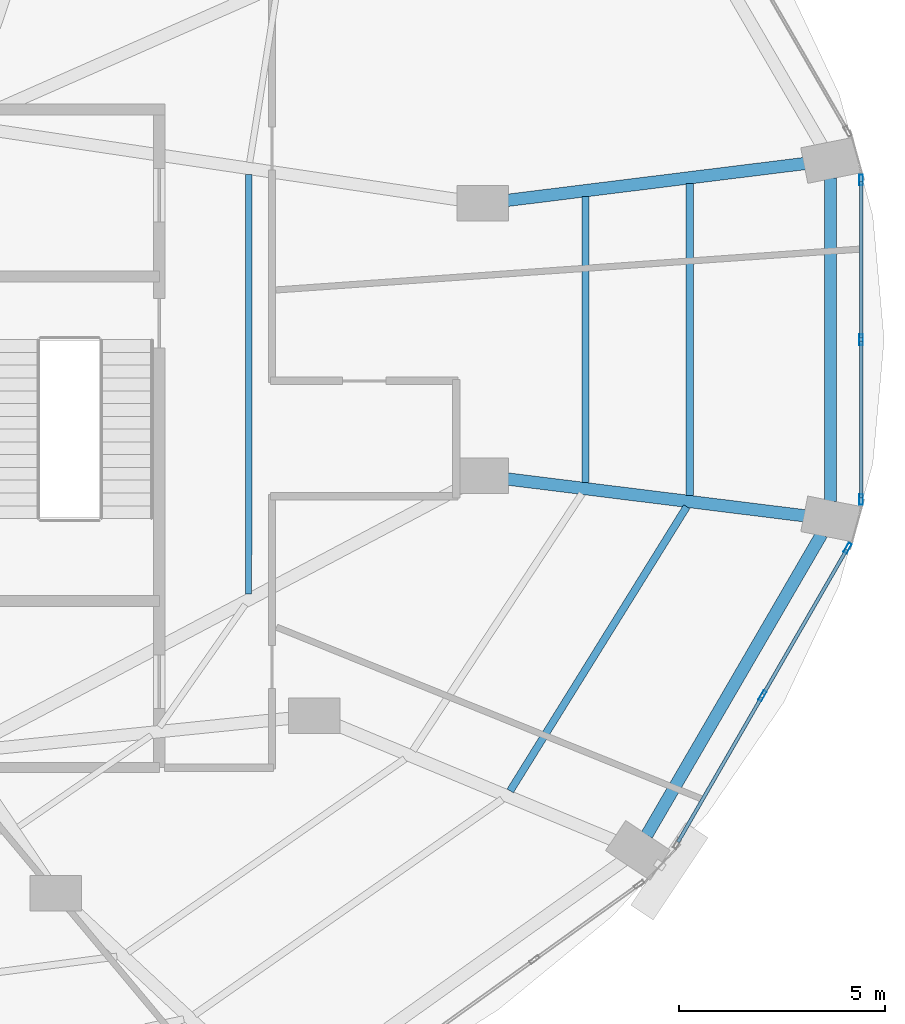
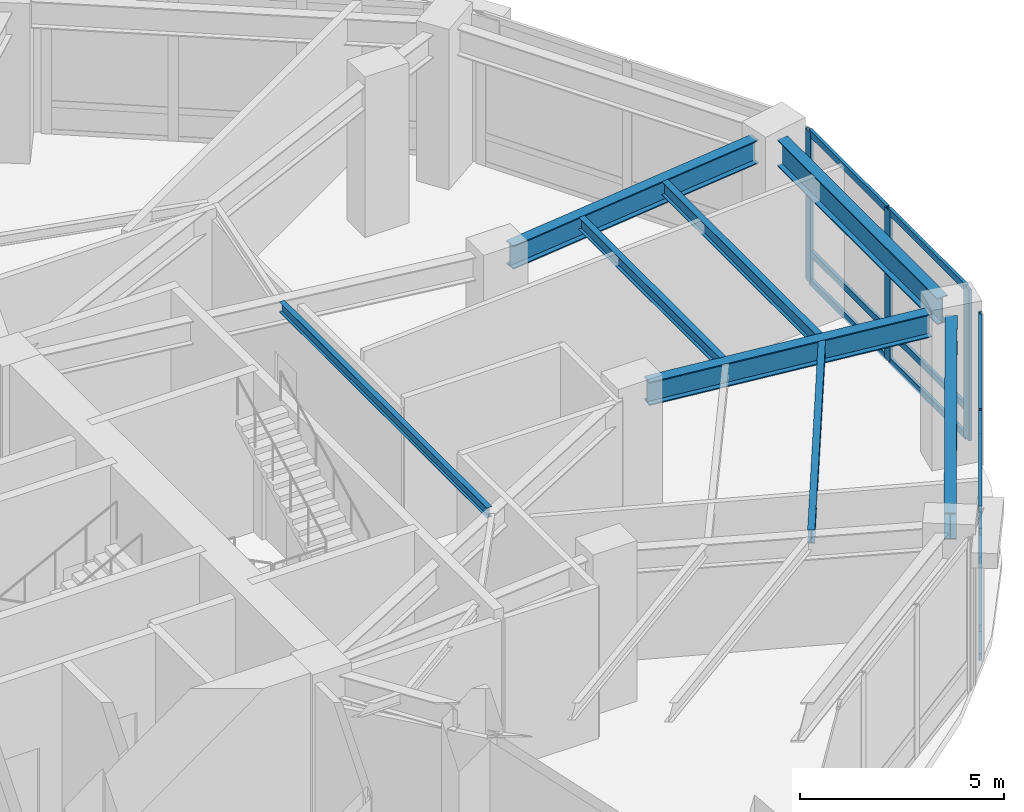
# One storey, part 12 of 24: 17 members, 8 beams, 2 elements without a shape of their own.
"""IFC4 building model written with IfcOpenShell, lengths in metres."""

from ifc_helpers import new_model, si_unit, direction, frame, origin, origin_2d, place, context, subcontext, project, spatial, hollow_rectangle, i_section, extrude, material, layer, layer_set, material_profile, profile_set, type_object, element, aggregate, save


model = new_model("IFC4")

# Units and contexts
model_context = context("Model", 3, precision=1e-05, world=origin(), true_north=direction((0.0, 1.0)))
body_context = subcontext(model_context, "Body", "Model", "MODEL_VIEW")
ifc_project = project(units=[si_unit("LENGTHUNIT", "METRE"), si_unit("AREAUNIT", "SQUARE_METRE"), si_unit("VOLUMEUNIT", "CUBIC_METRE"), si_unit("PLANEANGLEUNIT", "RADIAN"), si_unit("MASSUNIT", "GRAM", prefix="KILO")], contexts=[model_context])

# Site, building, storey
site_placement = place(None, origin())
site = spatial("IfcSite", under=ifc_project, at=site_placement, CompositionType="ELEMENT")
building_placement = place(site_placement, origin())
building = spatial("IfcBuilding", under=site, at=building_placement, Name="Lazwardi Medical Tower", CompositionType="ELEMENT")
storey_placement = place(building_placement, frame((0.0, 0.0, 15.60009765625)))
storey = spatial("IfcBuildingStorey", under=building, at=storey_placement, Name="L03", CompositionType="ELEMENT", Elevation=15.60009765625)

# Beams
ifc_material_1 = material(Name="Steel S355", Category="steel")
ifc_material_profile_1 = material_profile(ifc_material_1, i_section(OverallWidth=0.300048828125, OverallDepth=0.800048828125, WebThickness=0.017578125, FlangeThickness=0.032958984375, at=origin_2d()), Name="HEB 800")
ifc_profile_set_1 = profile_set([ifc_material_profile_1], Name="Steel S355")
beam_type_1 = type_object("IfcBeamType", Name="BM-RB-P1", PredefinedType="BEAM", material=ifc_profile_set_1)
beam_1_placement = place(storey_placement, frame((62.2412109375, 18.382568359375, 4.119873046875), z_axis=(0.502605874383, 0.864515665003, 0.0), x_axis=(-0.864515665003, 0.502605874383, 0.0)))
element("IfcBeam", 1, at=beam_1_placement, inside=storey, type_object=beam_type_1, Name="Ring beam RB-01 B03 L03", PredefinedType="BEAM", context=body_context, shape_type="SweptSolid", body=[
    extrude(i_section(OverallWidth=0.300048828125, OverallDepth=0.800048828125, WebThickness=0.017578125, FlangeThickness=0.032958984375, at=origin_2d()), origin(), (0.0, 0.0, 1.0), 8.4384765625),
])
beam_2_placement = place(storey_placement, frame((66.698486328125, 26.4794921875, 4.119873046875), z_axis=(0.0, 1.0, 0.0), x_axis=(-1.0, 0.0, 0.0)))
element("IfcBeam", 2, at=beam_2_placement, inside=storey, type_object=beam_type_1, Name="Ring beam RB-01 B04 L03", PredefinedType="BEAM", context=body_context, shape_type="SweptSolid", body=[
    extrude(i_section(OverallWidth=0.300048828125, OverallDepth=0.800048828125, WebThickness=0.017578125, FlangeThickness=0.032958984375, at=origin_2d()), origin(), (0.0, 0.0, 1.0), 7.841064453125),
])
ifc_material_profile_2 = material_profile(ifc_material_1, i_section(OverallWidth=0.300048828125, OverallDepth=0.699951171875, WebThickness=0.01708984375, FlangeThickness=0.031982421875, at=origin_2d()), Name="HEB 700")
ifc_profile_set_2 = profile_set([ifc_material_profile_2], Name="Steel S355")
beam_type_2 = type_object("IfcBeamType", Name="BM-RG-P1", PredefinedType="BEAM", material=ifc_profile_set_2)
for number, where, z_axis, x_axis, name in (
    (3, (66.123046875, 26.120849609375, 4.169921875), (-0.992421549031, 0.122879896728, 0.0), (-0.122879896728, -0.992421549031, 0.0), "Radial girder RG-01 R04A L03"),
    (4, (66.123046875, 34.67919921875, 4.169921875), (-0.992421549031, -0.122879896728, 0.0), (0.122879896728, -0.992421549031, 0.0), "Radial girder RG-01 R05A L03"),
):
    element("IfcBeam", number, at=place(storey_placement, frame(where, z_axis=z_axis, x_axis=x_axis)), inside=storey, type_object=beam_type_2, Name=name, PredefinedType="BEAM", context=body_context, shape_type="SweptSolid", body=[
        extrude(i_section(OverallWidth=0.300048828125, OverallDepth=0.699951171875, WebThickness=0.01708984375, FlangeThickness=0.031982421875, at=origin_2d()), origin(), (0.0, 0.0, 1.0), 7.52001953125),
    ])
ifc_material_profile_3 = material_profile(ifc_material_1, i_section(OverallWidth=0.179931640625, OverallDepth=0.39990234375, WebThickness=0.008544921875, FlangeThickness=0.013427734375, at=origin_2d()), Name="IPE 400")
ifc_profile_set_3 = profile_set([ifc_material_profile_3], Name="Steel S355")
beam_type_3 = type_object("IfcBeamType", Name="BM-SJ-01", PredefinedType="JOIST", material=ifc_profile_set_3)
beam_3_placement = place(storey_placement, frame((58.927490234375, 19.45458984375, 4.31982421875), z_axis=(0.527696026634, 0.84943328371, 0.0), x_axis=(-0.84943328371, 0.527696026634, 0.0)))
element("IfcBeam", 5, at=beam_3_placement, inside=storey, type_object=beam_type_3, Name="Secondary joist SJ-01 RO1 B03 L03", PredefinedType="JOIST", context=body_context, shape_type="SweptSolid", body=[
    extrude(i_section(OverallWidth=0.179931640625, OverallDepth=0.39990234375, WebThickness=0.008544921875, FlangeThickness=0.013427734375, at=origin_2d()), origin(), (0.0, 0.0, 1.0), 8.116455078125),
])
beam_4_placement = place(storey_placement, frame((63.287109375, 26.616943359375, 4.31982421875), z_axis=(0.0, 1.0, 0.0), x_axis=(-1.0, 0.0, 0.0)))
element("IfcBeam", 6, at=beam_4_placement, inside=storey, type_object=beam_type_3, Name="Secondary joist SJ-01 RO1 B04 L03", PredefinedType="JOIST", context=body_context, shape_type="SweptSolid", body=[
    extrude(i_section(OverallWidth=0.179931640625, OverallDepth=0.39990234375, WebThickness=0.008544921875, FlangeThickness=0.013427734375, at=origin_2d()), origin(), (0.0, 0.0, 1.0), 7.566162109375),
])
ifc_material_profile_4 = material_profile(ifc_material_1, i_section(OverallWidth=0.169921875, OverallDepth=0.360107421875, WebThickness=0.008056640625, FlangeThickness=0.0126953125, at=origin_2d()), Name="IPE 360")
ifc_profile_set_4 = profile_set([ifc_material_profile_4], Name="Steel S355")
beam_type_4 = type_object("IfcBeamType", Name="BM-SJ-02", PredefinedType="JOIST", material=ifc_profile_set_4)
beam_5_placement = place(storey_placement, frame((60.74951171875, 26.93115234375, 4.33984375), z_axis=(0.0, 1.0, 0.0), x_axis=(-1.0, 0.0, 0.0)))
element("IfcBeam", 7, at=beam_5_placement, inside=storey, type_object=beam_type_4, Name="Secondary joist SJ-02 RO2 B04 L03", PredefinedType="JOIST", context=body_context, shape_type="SweptSolid", body=[
    extrude(i_section(OverallWidth=0.169921875, OverallDepth=0.360107421875, WebThickness=0.008056640625, FlangeThickness=0.0126953125, at=origin_2d()), origin(), (0.0, 0.0, 1.0), 6.937744140625),
])
ifc_material_profile_5 = material_profile(ifc_material_1, i_section(OverallWidth=0.14990234375, OverallDepth=0.300048828125, WebThickness=0.007080078125, FlangeThickness=0.0107421875, at=origin_2d()), Name="IPE 300")
ifc_profile_set_5 = profile_set([ifc_material_profile_5], Name="Steel S355")
beam_type_5 = type_object("IfcBeamType", Name="BM-SJ-03", PredefinedType="JOIST", material=ifc_profile_set_5)
beam_6_placement = place(storey_placement, frame((52.5830078125, 24.236328125, 4.369873046875), z_axis=(0.000215967168, 0.999999976679, 0.0), x_axis=(-0.999999976679, 0.000215967168, 0.0)))
element("IfcBeam", 8, at=beam_6_placement, inside=storey, type_object=beam_type_5, Name="Secondary joist SJ-03 RI1 B04 L03", PredefinedType="JOIST", context=body_context, shape_type="SweptSolid", body=[
    extrude(i_section(OverallWidth=0.14990234375, OverallDepth=0.300048828125, WebThickness=0.007080078125, FlangeThickness=0.0107421875, at=origin_2d()), origin(), (0.0, 0.0, 1.0), 10.174072265625),
])

# Curtain wall, members
ifc_material_2 = material(Name="Anodised bronze aluminium and solar control glazing", Category="aluminium")
ifc_layer = layer(ifc_material_2, 0.219970703125)
ifc_layer_set = layer_set([ifc_layer], Name="Anodised bronze aluminium and solar control glazing")
curtain_wall_type = type_object("IfcCurtainWallType", Name="CW-SYS-01", PredefinedType="NOTDEFINED", material=ifc_layer_set)
curtain_wall_1_placement = place(storey_placement, origin())
curtain_wall_1 = element("IfcCurtainWall", 9, at=curtain_wall_1_placement, inside=storey, type_object=curtain_wall_type, Name="L03 Unitised bronze curtain wall CW-01", PredefinedType="NOTDEFINED")
ifc_material_3 = material(Name="Anodised bronze aluminium", Category="aluminium")
ifc_material_profile_6 = material_profile(ifc_material_3, hollow_rectangle(XDim=0.0849609375, YDim=0.260009765625, WallThickness=0.0048828125, at=origin_2d()), Name="ALU-MULLION 260x85x5")
ifc_profile_set_6 = profile_set([ifc_material_profile_6], Name="Anodised bronze aluminium")
member_type_1 = type_object("IfcMemberType", Name="CW-MUL-02", PredefinedType="MULLION", material=ifc_profile_set_6)
member_1_placement = place(storey_placement, frame((65.04638671875, 21.761962890625, 0.0), z_axis=(0.0, 0.0, 1.0), x_axis=(-0.866180607783, 0.499731082384, 0.0)))
member_1 = element("IfcMember", 10, at=member_1_placement, type_object=member_type_1, Name="CW-01 mullion 2", PredefinedType="MULLION", context=body_context, shape_type="SweptSolid", body=[
    extrude(hollow_rectangle(XDim=0.0849609375, YDim=0.260009765625, WallThickness=0.0048828125, at=origin_2d()), origin(), (0.0, 0.0, 1.0), 4.52001953125),
])
member_2_placement = place(storey_placement, frame((67.1142578125, 25.345947265625, 0.0), z_axis=(0.0, 0.0, 1.0), x_axis=(-0.866180607783, 0.499731082384, 0.0)))
member_2 = element("IfcMember", 11, at=member_2_placement, type_object=member_type_1, Name="CW-01 mullion 3", PredefinedType="MULLION", context=body_context, shape_type="SweptSolid", body=[
    extrude(hollow_rectangle(XDim=0.0849609375, YDim=0.260009765625, WallThickness=0.0048828125, at=origin_2d()), origin(), (0.0, 0.0, 1.0), 4.52001953125),
])

curtain_wall_2_placement = place(storey_placement, origin())
curtain_wall_2 = element("IfcCurtainWall", 12, at=curtain_wall_2_placement, inside=storey, type_object=curtain_wall_type, Name="L03 Unitised bronze curtain wall CW-01", PredefinedType="NOTDEFINED")
member_3_placement = place(storey_placement, frame((67.439697265625, 26.523193359375, 0.0), z_axis=(0.0, 0.0, 1.0), x_axis=(-1.0, 0.0, 0.0)))
member_3 = element("IfcMember", 13, at=member_3_placement, type_object=member_type_1, Name="CW-01 mullion 1", PredefinedType="MULLION", context=body_context, shape_type="SweptSolid", body=[
    extrude(hollow_rectangle(XDim=0.0849609375, YDim=0.260009765625, WallThickness=0.0048828125, at=origin_2d()), origin(), (0.0, 0.0, 1.0), 4.52001953125),
])
member_4_placement = place(storey_placement, frame((67.439697265625, 30.39990234375, 0.0), z_axis=(0.0, 0.0, 1.0), x_axis=(-1.0, 0.0, 0.0)))
member_4 = element("IfcMember", 14, at=member_4_placement, type_object=member_type_1, Name="CW-01 mullion 2", PredefinedType="MULLION", context=body_context, shape_type="SweptSolid", body=[
    extrude(hollow_rectangle(XDim=0.0849609375, YDim=0.260009765625, WallThickness=0.0048828125, at=origin_2d()), origin(), (0.0, 0.0, 1.0), 4.52001953125),
])
member_5_placement = place(storey_placement, frame((67.439697265625, 34.276611328125, 0.0), z_axis=(0.0, 0.0, 1.0), x_axis=(-1.0, 0.0, 0.0)))
member_5 = element("IfcMember", 15, at=member_5_placement, type_object=member_type_1, Name="CW-01 mullion 3", PredefinedType="MULLION", context=body_context, shape_type="SweptSolid", body=[
    extrude(hollow_rectangle(XDim=0.0849609375, YDim=0.260009765625, WallThickness=0.0048828125, at=origin_2d()), origin(), (0.0, 0.0, 1.0), 4.52001953125),
])

# Member
ifc_material_profile_7 = material_profile(ifc_material_3, hollow_rectangle(XDim=0.0849609375, YDim=0.199951171875, WallThickness=0.00439453125, at=origin_2d()), Name="ALU-TRANSOM 200x85x4.5")
ifc_profile_set_7 = profile_set([ifc_material_profile_7], Name="Anodised bronze aluminium")
member_type_2 = type_object("IfcMemberType", Name="CW-TRN-02", PredefinedType="USERDEFINED", material=ifc_profile_set_7)
member_6_placement = place(storey_placement, frame((62.999755859375, 18.21484375, 0.04248046875), z_axis=(0.499767651026, 0.866159508975, 0.0), x_axis=(-0.866159508975, 0.499767651026, 0.0)))
member_6 = element("IfcMember", 16, at=member_6_placement, type_object=member_type_2, Name="CW-01 transom 1.1", ObjectType="TRANSOM", PredefinedType="USERDEFINED", context=body_context, shape_type="SweptSolid", body=[
    extrude(hollow_rectangle(XDim=0.0849609375, YDim=0.199951171875, WallThickness=0.00439453125, at=origin_2d()), origin(), (0.0, 0.0, 1.0), 4.052734375),
])

member_7_placement = place(storey_placement, frame((62.999755859375, 18.21484375, 0.89990234375), z_axis=(0.499767651026, 0.866159508975, 0.0), x_axis=(-0.866159508975, 0.499767651026, 0.0)))
member_7 = element("IfcMember", 17, at=member_7_placement, type_object=member_type_2, Name="CW-01 transom 1.2", ObjectType="TRANSOM", PredefinedType="USERDEFINED", context=body_context, shape_type="SweptSolid", body=[
    extrude(hollow_rectangle(XDim=0.0849609375, YDim=0.199951171875, WallThickness=0.00439453125, at=origin_2d()), origin(), (0.0, 0.0, 1.0), 4.052734375),
])

member_8_placement = place(storey_placement, frame((62.999755859375, 18.21484375, 4.477294921875), z_axis=(0.499767651026, 0.866159508975, 0.0), x_axis=(-0.866159508975, 0.499767651026, 0.0)))
member_8 = element("IfcMember", 18, at=member_8_placement, type_object=member_type_2, Name="CW-01 transom 1.3", ObjectType="TRANSOM", PredefinedType="USERDEFINED", context=body_context, shape_type="SweptSolid", body=[
    extrude(hollow_rectangle(XDim=0.0849609375, YDim=0.199951171875, WallThickness=0.00439453125, at=origin_2d()), origin(), (0.0, 0.0, 1.0), 4.052734375),
])

member_9_placement = place(storey_placement, frame((65.067626953125, 21.798828125, 0.04248046875), z_axis=(0.499767651026, 0.866159508975, 0.0), x_axis=(-0.866159508975, 0.499767651026, 0.0)))
member_9 = element("IfcMember", 19, at=member_9_placement, type_object=member_type_2, Name="CW-01 transom 2.1", ObjectType="TRANSOM", PredefinedType="USERDEFINED", context=body_context, shape_type="SweptSolid", body=[
    extrude(hollow_rectangle(XDim=0.0849609375, YDim=0.199951171875, WallThickness=0.00439453125, at=origin_2d()), origin(), (0.0, 0.0, 1.0), 4.052734375),
])

member_10_placement = place(storey_placement, frame((65.067626953125, 21.798828125, 0.89990234375), z_axis=(0.499767651026, 0.866159508975, 0.0), x_axis=(-0.866159508975, 0.499767651026, 0.0)))
member_10 = element("IfcMember", 20, at=member_10_placement, type_object=member_type_2, Name="CW-01 transom 2.2", ObjectType="TRANSOM", PredefinedType="USERDEFINED", context=body_context, shape_type="SweptSolid", body=[
    extrude(hollow_rectangle(XDim=0.0849609375, YDim=0.199951171875, WallThickness=0.00439453125, at=origin_2d()), origin(), (0.0, 0.0, 1.0), 4.052734375),
])

member_11_placement = place(storey_placement, frame((65.067626953125, 21.798828125, 4.477294921875), z_axis=(0.499767651026, 0.866159508975, 0.0), x_axis=(-0.866159508975, 0.499767651026, 0.0)))
member_11 = element("IfcMember", 21, at=member_11_placement, type_object=member_type_2, Name="CW-01 transom 2.3", ObjectType="TRANSOM", PredefinedType="USERDEFINED", context=body_context, shape_type="SweptSolid", body=[
    extrude(hollow_rectangle(XDim=0.0849609375, YDim=0.199951171875, WallThickness=0.00439453125, at=origin_2d()), origin(), (0.0, 0.0, 1.0), 4.052734375),
])

aggregate(curtain_wall_1, [member_1, member_2, member_6, member_7, member_8, member_9, member_10, member_11])

member_12_placement = place(storey_placement, frame((67.439697265625, 26.56591796875, 0.04248046875), z_axis=(0.0, 1.0, 0.0), x_axis=(-1.0, 0.0, 0.0)))
member_12 = element("IfcMember", 22, at=member_12_placement, type_object=member_type_2, Name="CW-01 transom 1.1", ObjectType="TRANSOM", PredefinedType="USERDEFINED", context=body_context, shape_type="SweptSolid", body=[
    extrude(hollow_rectangle(XDim=0.0849609375, YDim=0.199951171875, WallThickness=0.00439453125, at=origin_2d()), origin(), (0.0, 0.0, 1.0), 3.79150390625),
])

member_13_placement = place(storey_placement, frame((67.439697265625, 26.56591796875, 0.89990234375), z_axis=(0.0, 1.0, 0.0), x_axis=(-1.0, 0.0, 0.0)))
member_13 = element("IfcMember", 23, at=member_13_placement, type_object=member_type_2, Name="CW-01 transom 1.2", ObjectType="TRANSOM", PredefinedType="USERDEFINED", context=body_context, shape_type="SweptSolid", body=[
    extrude(hollow_rectangle(XDim=0.0849609375, YDim=0.199951171875, WallThickness=0.00439453125, at=origin_2d()), origin(), (0.0, 0.0, 1.0), 3.79150390625),
])

member_14_placement = place(storey_placement, frame((67.439697265625, 26.56591796875, 4.477294921875), z_axis=(0.0, 1.0, 0.0), x_axis=(-1.0, 0.0, 0.0)))
member_14 = element("IfcMember", 24, at=member_14_placement, type_object=member_type_2, Name="CW-01 transom 1.3", ObjectType="TRANSOM", PredefinedType="USERDEFINED", context=body_context, shape_type="SweptSolid", body=[
    extrude(hollow_rectangle(XDim=0.0849609375, YDim=0.199951171875, WallThickness=0.00439453125, at=origin_2d()), origin(), (0.0, 0.0, 1.0), 3.79150390625),
])

member_15_placement = place(storey_placement, frame((67.439697265625, 30.4423828125, 0.04248046875), z_axis=(0.0, 1.0, 0.0), x_axis=(-1.0, 0.0, 0.0)))
member_15 = element("IfcMember", 25, at=member_15_placement, type_object=member_type_2, Name="CW-01 transom 2.1", ObjectType="TRANSOM", PredefinedType="USERDEFINED", context=body_context, shape_type="SweptSolid", body=[
    extrude(hollow_rectangle(XDim=0.0849609375, YDim=0.199951171875, WallThickness=0.00439453125, at=origin_2d()), origin(), (0.0, 0.0, 1.0), 3.791748046875),
])

member_16_placement = place(storey_placement, frame((67.439697265625, 30.4423828125, 0.89990234375), z_axis=(0.0, 1.0, 0.0), x_axis=(-1.0, 0.0, 0.0)))
member_16 = element("IfcMember", 26, at=member_16_placement, type_object=member_type_2, Name="CW-01 transom 2.2", ObjectType="TRANSOM", PredefinedType="USERDEFINED", context=body_context, shape_type="SweptSolid", body=[
    extrude(hollow_rectangle(XDim=0.0849609375, YDim=0.199951171875, WallThickness=0.00439453125, at=origin_2d()), origin(), (0.0, 0.0, 1.0), 3.791748046875),
])

member_17_placement = place(storey_placement, frame((67.439697265625, 30.4423828125, 4.477294921875), z_axis=(0.0, 1.0, 0.0), x_axis=(-1.0, 0.0, 0.0)))
member_17 = element("IfcMember", 27, at=member_17_placement, type_object=member_type_2, Name="CW-01 transom 2.3", ObjectType="TRANSOM", PredefinedType="USERDEFINED", context=body_context, shape_type="SweptSolid", body=[
    extrude(hollow_rectangle(XDim=0.0849609375, YDim=0.199951171875, WallThickness=0.00439453125, at=origin_2d()), origin(), (0.0, 0.0, 1.0), 3.791748046875),
])

aggregate(curtain_wall_2, [member_3, member_4, member_5, member_12, member_13, member_14, member_15, member_16, member_17])

save(model, "model.ifc")
